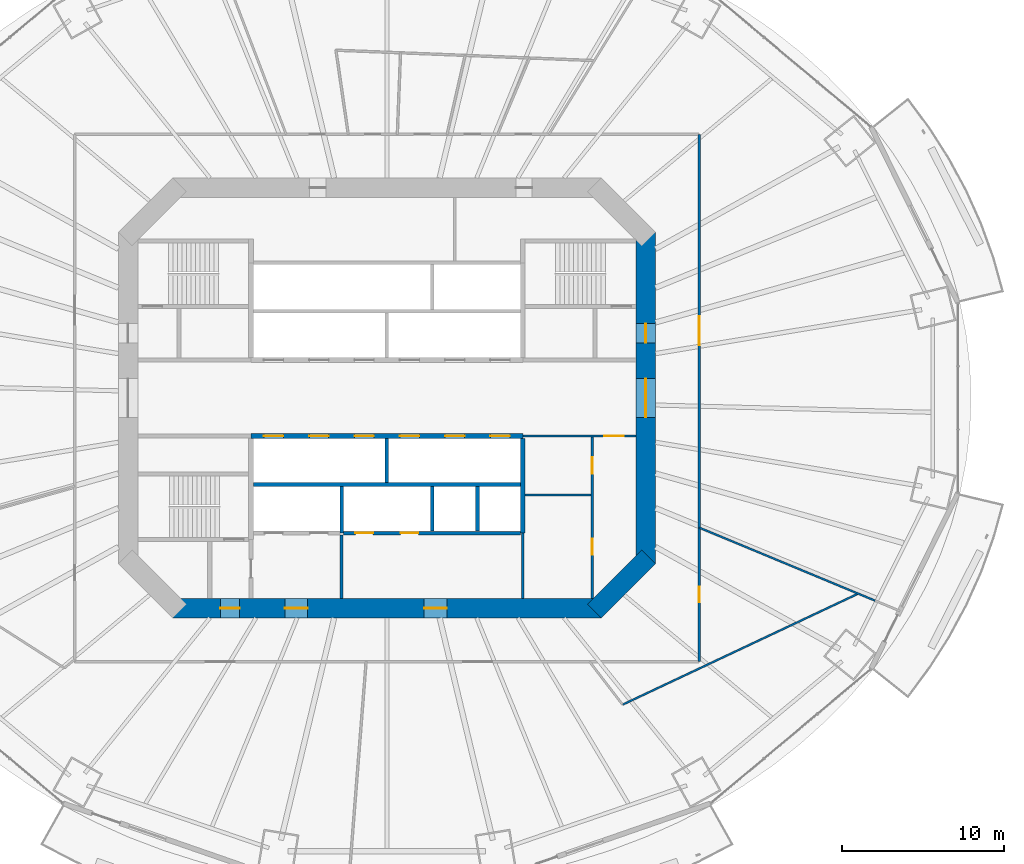
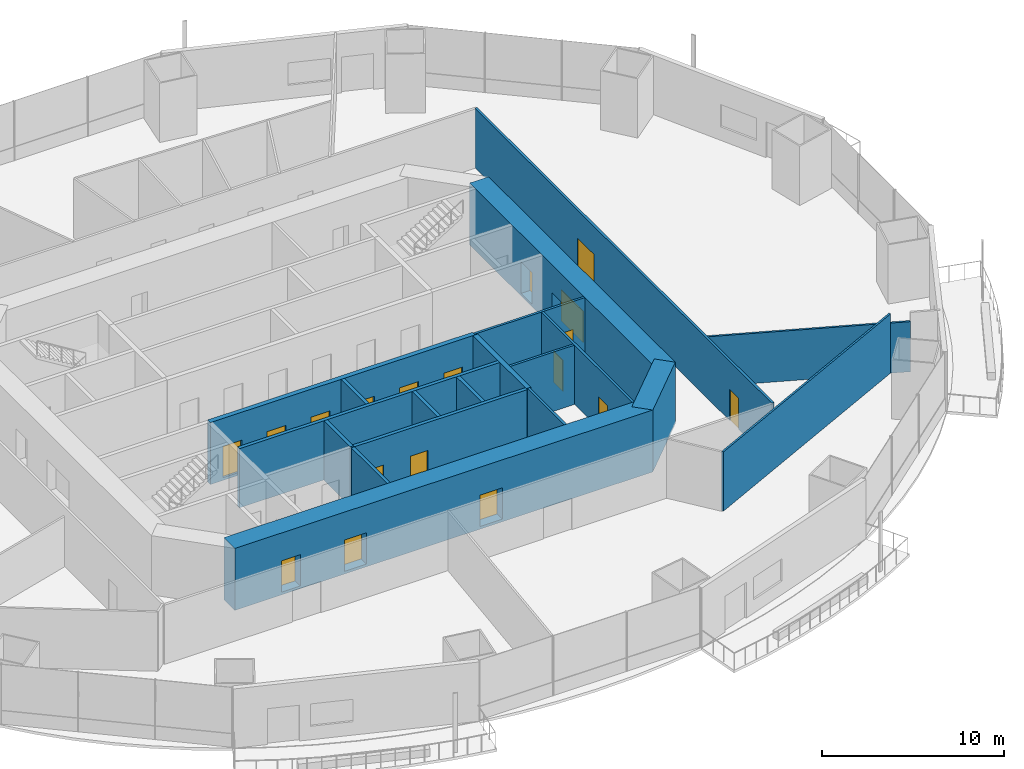
# One storey, part 15 of 23: 19 walls, 18 doors, 18 openings.
"""IFC4 building model written with IfcOpenShell, lengths in metres."""

from ifc_helpers import new_model, si_unit, direction, frame, frame_2d, origin, place, context, subcontext, project, spatial, rectangle, extrude, material, layer, layer_set, type_object, element, fill, save


model = new_model("IFC4")

# Units and contexts
model_context = context("Model", 3, precision=1e-05, world=origin(), true_north=direction((0.0, 1.0)))
body_context = subcontext(model_context, "Body", "Model", "MODEL_VIEW")
ifc_project = project(units=[si_unit("LENGTHUNIT", "METRE"), si_unit("AREAUNIT", "SQUARE_METRE"), si_unit("VOLUMEUNIT", "CUBIC_METRE"), si_unit("PLANEANGLEUNIT", "RADIAN"), si_unit("MASSUNIT", "GRAM", prefix="KILO")], contexts=[model_context])

# Site, building, storey
site_placement = place(None, origin())
site = spatial("IfcSite", under=ifc_project, at=site_placement, CompositionType="ELEMENT")
building_placement = place(site_placement, origin())
building = spatial("IfcBuilding", under=site, at=building_placement, Name="Marenthal Gate Tower", CompositionType="ELEMENT")
storey_placement = place(building_placement, frame((0.0, 0.0, 62.050048828125)))
storey = spatial("IfcBuildingStorey", under=building, at=storey_placement, Name="L11", CompositionType="ELEMENT", Elevation=62.050048828125)

# Wall
ifc_material_1 = material(Name="Concrete 60 MPa", Category="concrete")
ifc_layer_1 = layer(ifc_material_1, 1.199951171875)
ifc_layer_set_1 = layer_set([ifc_layer_1], Name="Core shear wall 1200")
wall_type_1 = type_object("IfcWallType", Name="Core shear wall 1200", PredefinedType="SHEAR", material=ifc_layer_set_1)
wall_1_placement = place(storey_placement, frame((12.82421875, -13.17578125, -0.179931640625), z_axis=(0.0, 0.0, 1.0), x_axis=(0.707106781187, 0.707106781187, 0.0)))
element("IfcWall", 1, at=wall_1_placement, inside=storey, type_object=wall_type_1, Name="Core wall 01", PredefinedType="SHEAR", context=body_context, shape_type="SweptSolid", body=[
    extrude(rectangle(XDim=4.73974609375, YDim=1.199951171875, at=frame_2d((2.369873046875, 0.0))), origin(), (0.0, 0.0, 1.0), 4.14990234375),
])

# Wall, openings, doors
wall_2_placement = place(storey_placement, frame((16.0, -10.24853515625, -0.179931640625), z_axis=(0.0, 0.0, 1.0), x_axis=(0.0, 1.0, 0.0)))
wall_2 = element("IfcWall", 2, at=wall_2_placement, inside=storey, type_object=wall_type_1, Name="Core wall 02", PredefinedType="SHEAR", context=body_context, shape_type="SweptSolid", body=[
    extrude(rectangle(XDim=20.4970703125, YDim=1.199951171875, at=frame_2d((10.24853515625, 0.0))), origin(), (0.0, 0.0, 1.0), 4.14990234375),
])
opening_1_placement = place(wall_2_placement, frame((9.048583984375, 0.0, 0.179931640625)))
opening_1 = element("IfcOpeningElement", 3, at=opening_1_placement, cuts=wall_2, Name="Opening D003.02", PredefinedType="OPENING", context=body_context, shape_type="SweptSolid", body=[
    extrude(rectangle(XDim=2.39990234375, YDim=2.10009765625, at=frame_2d((1.199951171875, 1.050048828125))), frame((0.0, 0.60986328125, 0.0), z_axis=(0.0, -1.0, 0.0), x_axis=(1.0, 0.0, 0.0)), (0.0, 0.0, 1.0), 1.219970703125),
])
opening_2_placement = place(wall_2_placement, frame((13.6484375, 0.0, 0.179931640625)))
opening_2 = element("IfcOpeningElement", 4, at=opening_2_placement, cuts=wall_2, Name="Opening D001.05", PredefinedType="OPENING", context=body_context, shape_type="SweptSolid", body=[
    extrude(rectangle(XDim=1.199951171875, YDim=2.10009765625, at=frame_2d((0.60009765625, 1.050048828125))), frame((0.0, 0.60986328125, 0.0), z_axis=(0.0, -1.0, 0.0), x_axis=(1.0, 0.0, 0.0)), (0.0, 0.0, 1.0), 1.219970703125),
])
ifc_material_2 = material(Name="Steel fire door", Category="steel")
door_type_1 = type_object("IfcDoorType", Name="Double fire door FD 45 2400 x 2100", OperationType="DOUBLE_DOOR_SINGLE_SWING", PredefinedType="DOOR", material=ifc_material_2)
door_1_placement = place(opening_1_placement, origin())
door_1 = element("IfcDoor", 5, at=door_1_placement, inside=storey, type_object=door_type_1, Name="Door D003.02", OperationType="DOUBLE_DOOR_SINGLE_SWING", OverallHeight=2.10009765625, OverallWidth=2.39990234375, PredefinedType="DOOR", context=body_context, shape_type="SweptSolid", body=[
    extrude(rectangle(XDim=2.39990234375, YDim=2.10009765625, at=frame_2d((1.199951171875, 1.050048828125))), frame((0.0, 0.02490234375, 0.0), z_axis=(0.0, -1.0, 0.0), x_axis=(1.0, 0.0, 0.0)), (0.0, 0.0, 1.0), 0.050048828125),
])
fill(opening_1, door_1)
ifc_material_3 = material(Name="Steel fire door", Category="steel")
door_type_2 = type_object("IfcDoorType", Name="Fire door FD 90 1200 x 2100", OperationType="NOTDEFINED", PredefinedType="DOOR", material=ifc_material_3)
door_2_placement = place(opening_2_placement, origin())
door_2 = element("IfcDoor", 6, at=door_2_placement, inside=storey, type_object=door_type_2, Name="Door D001.05", OperationType="SINGLE_SWING_RIGHT", OverallHeight=2.10009765625, OverallWidth=1.199951171875, PredefinedType="DOOR", context=body_context, shape_type="SweptSolid", body=[
    extrude(rectangle(XDim=1.199951171875, YDim=2.10009765625, at=frame_2d((0.60009765625, 1.050048828125))), frame((0.0, 0.02490234375, 0.0), z_axis=(0.0, -1.0, 0.0), x_axis=(1.0, 0.0, 0.0)), (0.0, 0.0, 1.0), 0.050048828125),
])
fill(opening_2, door_2)

wall_3_placement = place(storey_placement, frame((-13.24853515625, -13.0, -0.179931640625), z_axis=(0.0, 0.0, 1.0), x_axis=(1.0, 0.0, 0.0)))
wall_3 = element("IfcWall", 7, at=wall_3_placement, inside=storey, type_object=wall_type_1, Name="Core wall 08", PredefinedType="SHEAR", context=body_context, shape_type="SweptSolid", body=[
    extrude(rectangle(XDim=26.4970703125, YDim=1.199951171875, at=frame_2d((13.24853515625, 0.0))), origin(), (0.0, 0.0, 1.0), 4.14990234375),
])
opening_3_placement = place(wall_3_placement, frame((2.948486328125, 0.0, 0.179931640625)))
opening_3 = element("IfcOpeningElement", 8, at=opening_3_placement, cuts=wall_3, Name="Opening D001.06", PredefinedType="OPENING", context=body_context, shape_type="SweptSolid", body=[
    extrude(rectangle(XDim=1.199951171875, YDim=2.10009765625, at=frame_2d((0.60009765625, 1.050048828125))), frame((0.0, 0.60986328125, 0.0), z_axis=(0.0, -1.0, 0.0), x_axis=(1.0, 0.0, 0.0)), (0.0, 0.0, 1.0), 1.219970703125),
])
opening_4_placement = place(wall_3_placement, frame((6.948486328125, 0.0, 0.179931640625)))
opening_4 = element("IfcOpeningElement", 9, at=opening_4_placement, cuts=wall_3, Name="Opening D004.01", PredefinedType="OPENING", context=body_context, shape_type="SweptSolid", body=[
    extrude(rectangle(XDim=1.39990234375, YDim=2.10009765625, at=frame_2d((0.699951171875, 1.050048828125))), frame((0.0, 0.60986328125, 0.0), z_axis=(0.0, -1.0, 0.0), x_axis=(1.0, 0.0, 0.0)), (0.0, 0.0, 1.0), 1.219970703125),
])
opening_5_placement = place(wall_3_placement, frame((15.548583984375, 0.0, 0.179931640625)))
opening_5 = element("IfcOpeningElement", 10, at=opening_5_placement, cuts=wall_3, Name="Opening D004.02", PredefinedType="OPENING", context=body_context, shape_type="SweptSolid", body=[
    extrude(rectangle(XDim=1.39990234375, YDim=2.10009765625, at=frame_2d((0.699951171875, 1.050048828125))), frame((0.0, 0.60986328125, 0.0), z_axis=(0.0, -1.0, 0.0), x_axis=(1.0, 0.0, 0.0)), (0.0, 0.0, 1.0), 1.219970703125),
])
ifc_material_4 = material(Name="Steel fire door", Category="steel")
door_type_3 = type_object("IfcDoorType", Name="Fire door FD 45 1400 x 2100", OperationType="NOTDEFINED", PredefinedType="DOOR", material=ifc_material_4)
door_3_placement = place(opening_4_placement, origin())
door_3 = element("IfcDoor", 11, at=door_3_placement, inside=storey, type_object=door_type_3, Name="Door D004.01", OperationType="SINGLE_SWING_RIGHT", OverallHeight=2.10009765625, OverallWidth=1.39990234375, PredefinedType="DOOR", context=body_context, shape_type="SweptSolid", body=[
    extrude(rectangle(XDim=1.39990234375, YDim=2.10009765625, at=frame_2d((0.699951171875, 1.050048828125))), frame((0.0, 0.02490234375, 0.0), z_axis=(0.0, -1.0, 0.0), x_axis=(1.0, 0.0, 0.0)), (0.0, 0.0, 1.0), 0.050048828125),
])
fill(opening_4, door_3)
door_4_placement = place(opening_5_placement, origin())
door_4 = element("IfcDoor", 12, at=door_4_placement, inside=storey, type_object=door_type_3, Name="Door D004.02", OperationType="SINGLE_SWING_RIGHT", OverallHeight=2.10009765625, OverallWidth=1.39990234375, PredefinedType="DOOR", context=body_context, shape_type="SweptSolid", body=[
    extrude(rectangle(XDim=1.39990234375, YDim=2.10009765625, at=frame_2d((0.699951171875, 1.050048828125))), frame((0.0, 0.02490234375, 0.0), z_axis=(0.0, -1.0, 0.0), x_axis=(1.0, 0.0, 0.0)), (0.0, 0.0, 1.0), 0.050048828125),
])
fill(opening_5, door_4)
door_5_placement = place(opening_3_placement, origin())
door_5 = element("IfcDoor", 13, at=door_5_placement, inside=storey, type_object=door_type_2, Name="Door D001.06", OperationType="SINGLE_SWING_RIGHT", OverallHeight=2.10009765625, OverallWidth=1.199951171875, PredefinedType="DOOR", context=body_context, shape_type="SweptSolid", body=[
    extrude(rectangle(XDim=1.199951171875, YDim=2.10009765625, at=frame_2d((0.60009765625, 1.050048828125))), frame((0.0, 0.02490234375, 0.0), z_axis=(0.0, -1.0, 0.0), x_axis=(1.0, 0.0, 0.0)), (0.0, 0.0, 1.0), 0.050048828125),
])
fill(opening_3, door_5)

# Wall
ifc_material_5 = material(Name="Gypsum board on steel studs", Category="steel")
ifc_layer_2 = layer(ifc_material_5, 0.199951171875)
ifc_layer_set_2 = layer_set([ifc_layer_2], Name="Fire lobby wall 200")
wall_type_2 = type_object("IfcWallType", Name="Fire lobby wall 200", PredefinedType="PARTITIONING", material=ifc_layer_set_2)
wall_4_placement = place(storey_placement, frame((-2.800048828125, -12.39990234375, 0.0), z_axis=(0.0, 0.0, 1.0), x_axis=(0.0, 1.0, 0.0)))
element("IfcWall", 14, at=wall_4_placement, inside=storey, type_object=wall_type_2, Name="Fire wall 33", PredefinedType="PARTITIONING", context=body_context, shape_type="SweptSolid", body=[
    extrude(rectangle(XDim=3.93994140625, YDim=0.199951171875, at=frame_2d((1.969970703125, 0.0))), origin(), (0.0, 0.0, 1.0), 3.969970703125),
])

# Wall, openings, doors
ifc_material_6 = material(Name="Concrete 50 MPa", Category="concrete")
ifc_layer_3 = layer(ifc_material_6, 0.300048828125)
ifc_layer_set_3 = layer_set([ifc_layer_3], Name="Hoistway shear wall 300")
wall_type_3 = type_object("IfcWallType", Name="Hoistway shear wall 300", PredefinedType="SHEAR", material=ifc_layer_set_3)
wall_5_placement = place(storey_placement, frame((-8.39990234375, -2.35009765625, -0.179931640625), z_axis=(0.0, 0.0, 1.0), x_axis=(1.0, 0.0, 0.0)))
wall_5 = element("IfcWall", 15, at=wall_5_placement, inside=storey, type_object=wall_type_3, Name="Hoistway wall 16", PredefinedType="SHEAR", context=body_context, shape_type="SweptSolid", body=[
    extrude(rectangle(XDim=16.7998046875, YDim=0.300048828125, at=frame_2d((8.39990234375, 0.0))), origin(), (0.0, 0.0, 1.0), 4.14990234375),
])
opening_6_placement = place(wall_5_placement, frame((0.800048828125, 0.0, 0.179931640625)))
opening_6 = element("IfcOpeningElement", 16, at=opening_6_placement, cuts=wall_5, Name="Opening LD-LP7", PredefinedType="OPENING", context=body_context, shape_type="SweptSolid", body=[
    extrude(rectangle(XDim=1.199951171875, YDim=2.10009765625, at=frame_2d((0.60009765625, 1.050048828125))), frame((0.0, 0.16015625, 0.0), z_axis=(0.0, -1.0, 0.0), x_axis=(1.0, 0.0, 0.0)), (0.0, 0.0, 1.0), 0.320068359375),
])
opening_7_placement = place(wall_5_placement, frame((3.60009765625, 0.0, 0.179931640625)))
opening_7 = element("IfcOpeningElement", 17, at=opening_7_placement, cuts=wall_5, Name="Opening LD-LP8", PredefinedType="OPENING", context=body_context, shape_type="SweptSolid", body=[
    extrude(rectangle(XDim=1.199951171875, YDim=2.10009765625, at=frame_2d((0.60009765625, 1.050048828125))), frame((0.0, 0.16015625, 0.0), z_axis=(0.0, -1.0, 0.0), x_axis=(1.0, 0.0, 0.0)), (0.0, 0.0, 1.0), 0.320068359375),
])
opening_8_placement = place(wall_5_placement, frame((6.39990234375, 0.0, 0.179931640625)))
opening_8 = element("IfcOpeningElement", 18, at=opening_8_placement, cuts=wall_5, Name="Opening LD-LP9", PredefinedType="OPENING", context=body_context, shape_type="SweptSolid", body=[
    extrude(rectangle(XDim=1.199951171875, YDim=2.10009765625, at=frame_2d((0.60009765625, 1.050048828125))), frame((0.0, 0.16015625, 0.0), z_axis=(0.0, -1.0, 0.0), x_axis=(1.0, 0.0, 0.0)), (0.0, 0.0, 1.0), 0.320068359375),
])
opening_9_placement = place(wall_5_placement, frame((9.199951171875, 0.0, 0.179931640625)))
opening_9 = element("IfcOpeningElement", 19, at=opening_9_placement, cuts=wall_5, Name="Opening LD-LP10", PredefinedType="OPENING", context=body_context, shape_type="SweptSolid", body=[
    extrude(rectangle(XDim=1.199951171875, YDim=2.10009765625, at=frame_2d((0.60009765625, 1.050048828125))), frame((0.0, 0.16015625, 0.0), z_axis=(0.0, -1.0, 0.0), x_axis=(1.0, 0.0, 0.0)), (0.0, 0.0, 1.0), 0.320068359375),
])
opening_10_placement = place(wall_5_placement, frame((12.0, 0.0, 0.179931640625)))
opening_10 = element("IfcOpeningElement", 20, at=opening_10_placement, cuts=wall_5, Name="Opening LD-LP11", PredefinedType="OPENING", context=body_context, shape_type="SweptSolid", body=[
    extrude(rectangle(XDim=1.199951171875, YDim=2.10009765625, at=frame_2d((0.60009765625, 1.050048828125))), frame((0.0, 0.16015625, 0.0), z_axis=(0.0, -1.0, 0.0), x_axis=(1.0, 0.0, 0.0)), (0.0, 0.0, 1.0), 0.320068359375),
])
opening_11_placement = place(wall_5_placement, frame((14.800048828125, 0.0, 0.179931640625)))
opening_11 = element("IfcOpeningElement", 21, at=opening_11_placement, cuts=wall_5, Name="Opening LD-LP12", PredefinedType="OPENING", context=body_context, shape_type="SweptSolid", body=[
    extrude(rectangle(XDim=1.199951171875, YDim=2.10009765625, at=frame_2d((0.60009765625, 1.050048828125))), frame((0.0, 0.16015625, 0.0), z_axis=(0.0, -1.0, 0.0), x_axis=(1.0, 0.0, 0.0)), (0.0, 0.0, 1.0), 0.320068359375),
])
ifc_material_7 = material(Name="Stainless steel sliding door", Category="steel")
door_type_4 = type_object("IfcDoorType", Name="Lift landing door FD 90 1200 x 2100", OperationType="DOUBLE_DOOR_SLIDING", PredefinedType="DOOR", material=ifc_material_7)
door_6_placement = place(opening_6_placement, origin())
door_6 = element("IfcDoor", 22, at=door_6_placement, inside=storey, type_object=door_type_4, Name="Lift landing door LP7", OperationType="DOUBLE_DOOR_SLIDING", OverallHeight=2.10009765625, OverallWidth=1.199951171875, PredefinedType="DOOR", context=body_context, shape_type="SweptSolid", body=[
    extrude(rectangle(XDim=1.199951171875, YDim=2.10009765625, at=frame_2d((0.60009765625, 1.050048828125))), frame((0.0, 0.02490234375, 0.0), z_axis=(0.0, -1.0, 0.0), x_axis=(1.0, 0.0, 0.0)), (0.0, 0.0, 1.0), 0.050048828125),
])
fill(opening_6, door_6)
door_7_placement = place(opening_7_placement, origin())
door_7 = element("IfcDoor", 23, at=door_7_placement, inside=storey, type_object=door_type_4, Name="Lift landing door LP8", OperationType="DOUBLE_DOOR_SLIDING", OverallHeight=2.10009765625, OverallWidth=1.199951171875, PredefinedType="DOOR", context=body_context, shape_type="SweptSolid", body=[
    extrude(rectangle(XDim=1.199951171875, YDim=2.10009765625, at=frame_2d((0.60009765625, 1.050048828125))), frame((0.0, 0.02490234375, 0.0), z_axis=(0.0, -1.0, 0.0), x_axis=(1.0, 0.0, 0.0)), (0.0, 0.0, 1.0), 0.050048828125),
])
fill(opening_7, door_7)
door_8_placement = place(opening_8_placement, origin())
door_8 = element("IfcDoor", 24, at=door_8_placement, inside=storey, type_object=door_type_4, Name="Lift landing door LP9", OperationType="DOUBLE_DOOR_SLIDING", OverallHeight=2.10009765625, OverallWidth=1.199951171875, PredefinedType="DOOR", context=body_context, shape_type="SweptSolid", body=[
    extrude(rectangle(XDim=1.199951171875, YDim=2.10009765625, at=frame_2d((0.60009765625, 1.050048828125))), frame((0.0, 0.02490234375, 0.0), z_axis=(0.0, -1.0, 0.0), x_axis=(1.0, 0.0, 0.0)), (0.0, 0.0, 1.0), 0.050048828125),
])
fill(opening_8, door_8)
door_9_placement = place(opening_9_placement, origin())
door_9 = element("IfcDoor", 25, at=door_9_placement, inside=storey, type_object=door_type_4, Name="Lift landing door LP10", OperationType="DOUBLE_DOOR_SLIDING", OverallHeight=2.10009765625, OverallWidth=1.199951171875, PredefinedType="DOOR", context=body_context, shape_type="SweptSolid", body=[
    extrude(rectangle(XDim=1.199951171875, YDim=2.10009765625, at=frame_2d((0.60009765625, 1.050048828125))), frame((0.0, 0.02490234375, 0.0), z_axis=(0.0, -1.0, 0.0), x_axis=(1.0, 0.0, 0.0)), (0.0, 0.0, 1.0), 0.050048828125),
])
fill(opening_9, door_9)
door_10_placement = place(opening_10_placement, origin())
door_10 = element("IfcDoor", 26, at=door_10_placement, inside=storey, type_object=door_type_4, Name="Lift landing door LP11", OperationType="DOUBLE_DOOR_SLIDING", OverallHeight=2.10009765625, OverallWidth=1.199951171875, PredefinedType="DOOR", context=body_context, shape_type="SweptSolid", body=[
    extrude(rectangle(XDim=1.199951171875, YDim=2.10009765625, at=frame_2d((0.60009765625, 1.050048828125))), frame((0.0, 0.02490234375, 0.0), z_axis=(0.0, -1.0, 0.0), x_axis=(1.0, 0.0, 0.0)), (0.0, 0.0, 1.0), 0.050048828125),
])
fill(opening_10, door_10)
door_11_placement = place(opening_11_placement, origin())
door_11 = element("IfcDoor", 27, at=door_11_placement, inside=storey, type_object=door_type_4, Name="Lift landing door LP12", OperationType="DOUBLE_DOOR_SLIDING", OverallHeight=2.10009765625, OverallWidth=1.199951171875, PredefinedType="DOOR", context=body_context, shape_type="SweptSolid", body=[
    extrude(rectangle(XDim=1.199951171875, YDim=2.10009765625, at=frame_2d((0.60009765625, 1.050048828125))), frame((0.0, 0.02490234375, 0.0), z_axis=(0.0, -1.0, 0.0), x_axis=(1.0, 0.0, 0.0)), (0.0, 0.0, 1.0), 0.050048828125),
])
fill(opening_11, door_11)

# Wall
wall_6_placement = place(storey_placement, frame((8.39990234375, -8.35009765625, -0.179931640625), z_axis=(0.0, 0.0, 1.0), x_axis=(0.0, 1.0, 0.0)))
element("IfcWall", 28, at=wall_6_placement, inside=storey, type_object=wall_type_3, Name="Hoistway wall 42", PredefinedType="SHEAR", context=body_context, shape_type="SweptSolid", body=[
    extrude(rectangle(XDim=5.85009765625, YDim=0.300048828125, at=frame_2d((2.925048828125, 0.0))), origin(), (0.0, 0.0, 1.0), 4.14990234375),
])

# Wall, openings, doors
ifc_material_8 = material(Name="Concrete 40 MPa", Category="concrete")
ifc_layer_4 = layer(ifc_material_8, 0.219970703125)
ifc_layer_set_4 = layer_set([ifc_layer_4], Name="Hoistway wall 220")
wall_type_4 = type_object("IfcWallType", Name="Hoistway wall 220", PredefinedType="STANDARD", material=ifc_layer_set_4)
wall_7_placement = place(storey_placement, frame((-2.68994140625, -8.35009765625, 0.0), z_axis=(0.0, 0.0, 1.0), x_axis=(1.0, 0.0, 0.0)))
wall_7 = element("IfcWall", 29, at=wall_7_placement, inside=storey, type_object=wall_type_4, Name="Hoistway wall 11", PredefinedType="STANDARD", context=body_context, shape_type="SweptSolid", body=[
    extrude(rectangle(XDim=10.93994140625, YDim=0.219970703125, at=frame_2d((5.469970703125, 0.0))), origin(), (0.0, 0.0, 1.0), 3.969970703125),
])
opening_12_placement = place(wall_7_placement, frame((0.739990234375, 0.0, 0.0)))
opening_12 = element("IfcOpeningElement", 30, at=opening_12_placement, cuts=wall_7, Name="Opening LD-SV1", PredefinedType="OPENING", context=body_context, shape_type="SweptSolid", body=[
    extrude(rectangle(XDim=1.10009765625, YDim=2.10009765625, at=frame_2d((0.550048828125, 1.050048828125))), frame((0.0, 0.1201171875, 0.0), z_axis=(0.0, -1.0, 0.0), x_axis=(1.0, 0.0, 0.0)), (0.0, 0.0, 1.0), 0.239990234375),
])
opening_13_placement = place(wall_7_placement, frame((3.5400390625, 0.0, 0.0)))
opening_13 = element("IfcOpeningElement", 31, at=opening_13_placement, cuts=wall_7, Name="Opening LD-SV2", PredefinedType="OPENING", context=body_context, shape_type="SweptSolid", body=[
    extrude(rectangle(XDim=1.10009765625, YDim=2.10009765625, at=frame_2d((0.550048828125, 1.050048828125))), frame((0.0, 0.1201171875, 0.0), z_axis=(0.0, -1.0, 0.0), x_axis=(1.0, 0.0, 0.0)), (0.0, 0.0, 1.0), 0.239990234375),
])
ifc_material_9 = material(Name="Stainless steel sliding door", Category="steel")
door_type_5 = type_object("IfcDoorType", Name="Lift landing door FD 90 1100 x 2100", OperationType="DOUBLE_DOOR_SLIDING", PredefinedType="DOOR", material=ifc_material_9)
door_12_placement = place(opening_12_placement, origin())
door_12 = element("IfcDoor", 32, at=door_12_placement, inside=storey, type_object=door_type_5, Name="Lift landing door SV1", OperationType="DOUBLE_DOOR_SLIDING", OverallHeight=2.10009765625, OverallWidth=1.10009765625, PredefinedType="DOOR", context=body_context, shape_type="SweptSolid", body=[
    extrude(rectangle(XDim=1.10009765625, YDim=2.10009765625, at=frame_2d((0.550048828125, 1.050048828125))), frame((0.0, 0.02490234375, 0.0), z_axis=(0.0, -1.0, 0.0), x_axis=(1.0, 0.0, 0.0)), (0.0, 0.0, 1.0), 0.050048828125),
])
fill(opening_12, door_12)
door_13_placement = place(opening_13_placement, origin())
door_13 = element("IfcDoor", 33, at=door_13_placement, inside=storey, type_object=door_type_5, Name="Lift landing door SV2", OperationType="DOUBLE_DOOR_SLIDING", OverallHeight=2.10009765625, OverallWidth=1.10009765625, PredefinedType="DOOR", context=body_context, shape_type="SweptSolid", body=[
    extrude(rectangle(XDim=1.10009765625, YDim=2.10009765625, at=frame_2d((0.550048828125, 1.050048828125))), frame((0.0, 0.02490234375, 0.0), z_axis=(0.0, -1.0, 0.0), x_axis=(1.0, 0.0, 0.0)), (0.0, 0.0, 1.0), 0.050048828125),
])
fill(opening_13, door_13)

# Walls
wall_8_placement = place(storey_placement, frame((-8.25, -5.35009765625, 0.0), z_axis=(0.0, 0.0, 1.0), x_axis=(1.0, 0.0, 0.0)))
element("IfcWall", 34, at=wall_8_placement, inside=storey, type_object=wall_type_4, Name="Hoistway wall 13", PredefinedType="STANDARD", context=body_context, shape_type="SweptSolid", body=[
    extrude(rectangle(XDim=16.5, YDim=0.219970703125, at=frame_2d((8.25, 0.0))), origin(), (0.0, 0.0, 1.0), 3.969970703125),
])
wall_9_placement = place(storey_placement, frame((-2.800048828125, -8.35009765625, 0.0), z_axis=(0.0, 0.0, 1.0), x_axis=(0.0, 1.0, 0.0)))
element("IfcWall", 35, at=wall_9_placement, inside=storey, type_object=wall_type_4, Name="Hoistway wall 34", PredefinedType="STANDARD", context=body_context, shape_type="SweptSolid", body=[
    extrude(rectangle(XDim=2.89013671875, YDim=0.219970703125, at=frame_2d((1.445068359375, 0.0))), origin(), (0.0, 0.0, 1.0), 3.969970703125),
])
wall_10_placement = place(storey_placement, frame((0.0, -5.239990234375, 0.0), z_axis=(0.0, 0.0, 1.0), x_axis=(0.0, 1.0, 0.0)))
element("IfcWall", 36, at=wall_10_placement, inside=storey, type_object=wall_type_4, Name="Hoistway wall 35", PredefinedType="STANDARD", context=body_context, shape_type="SweptSolid", body=[
    extrude(rectangle(XDim=2.739990234375, YDim=0.219970703125, at=frame_2d((1.3701171875, 0.0))), origin(), (0.0, 0.0, 1.0), 3.969970703125),
])
for number, where, z_axis, x_axis, name in (
    (37, (2.800048828125, -8.239990234375, 0.0), (0.0, 0.0, 1.0), (0.0, 1.0, 0.0), "Hoistway wall 37"),
    (38, (5.60009765625, -8.239990234375, 0.0), (0.0, 0.0, 1.0), (0.0, 1.0, 0.0), "Hoistway wall 40"),
):
    element("IfcWall", number, at=place(storey_placement, frame(where, z_axis=z_axis, x_axis=x_axis)), inside=storey, type_object=wall_type_4, Name=name, PredefinedType="STANDARD", context=body_context, shape_type="SweptSolid", body=[
        extrude(rectangle(XDim=2.780029296875, YDim=0.219970703125, at=frame_2d((1.39013671875, 0.0))), origin(), (0.0, 0.0, 1.0), 3.969970703125),
    ])
ifc_material_10 = material(Name="Gypsum board on steel studs", Category="steel")
ifc_layer_5 = layer(ifc_material_10, 0.1201171875)
ifc_layer_set_5 = layer_set([ifc_layer_5], Name="Partition 120")
wall_type_5 = type_object("IfcWallType", Name="Partition 120", PredefinedType="PARTITIONING", material=ifc_layer_set_5)
wall_11_placement = place(storey_placement, frame((14.567626953125, -18.95947265625, 0.0), z_axis=(0.0, 0.0, 1.0), x_axis=(0.904611019934, 0.426238082078, 0.0)))
element("IfcWall", 39, at=wall_11_placement, inside=storey, type_object=wall_type_5, Name="Partition wall 60", PredefinedType="PARTITIONING", context=body_context, shape_type="SweptSolid", body=[
    extrude(rectangle(XDim=16.099609375, YDim=0.1201171875, at=frame_2d((8.0498046875, 0.0))), origin(), (0.0, 0.0, 1.0), 3.969970703125),
])
wall_12_placement = place(storey_placement, frame((19.300048828125, -8.014404296875, 0.0), z_axis=(0.0, 0.0, 1.0), x_axis=(0.923538744344, -0.383505133859, 0.0)))
element("IfcWall", 40, at=wall_12_placement, inside=storey, type_object=wall_type_5, Name="Partition wall 63", PredefinedType="PARTITIONING", context=body_context, shape_type="SweptSolid", body=[
    extrude(rectangle(XDim=11.77587890625, YDim=0.1201171875, at=frame_2d((5.887939453125, 0.0))), origin(), (0.0, 0.0, 1.0), 3.35791015625),
])
ifc_material_11 = material(Name="Gypsum board on steel studs", Category="steel")
ifc_layer_6 = layer(ifc_material_11, 0.14990234375)
ifc_layer_set_6 = layer_set([ifc_layer_6], Name="Partition 150")
wall_type_6 = type_object("IfcWallType", Name="Partition 150", PredefinedType="PARTITIONING", material=ifc_layer_set_6)
wall_13_placement = place(storey_placement, frame((8.550048828125, -6.0, 0.0), z_axis=(0.0, 0.0, 1.0), x_axis=(1.0, 0.0, 0.0)))
element("IfcWall", 41, at=wall_13_placement, inside=storey, type_object=wall_type_6, Name="Partition wall 12", PredefinedType="PARTITIONING", context=body_context, shape_type="SweptSolid", body=[
    extrude(rectangle(XDim=4.074951171875, YDim=0.14990234375, at=frame_2d((2.03759765625, 0.0))), origin(), (0.0, 0.0, 1.0), 3.969970703125),
])

# Wall, opening, door
wall_14_placement = place(storey_placement, frame((8.39990234375, -2.35009765625, 0.0), z_axis=(0.0, 0.0, 1.0), x_axis=(1.0, 0.0, 0.0)))
wall_14 = element("IfcWall", 42, at=wall_14_placement, inside=storey, type_object=wall_type_6, Name="Partition wall 17", PredefinedType="PARTITIONING", context=body_context, shape_type="SweptSolid", body=[
    extrude(rectangle(XDim=7.0, YDim=0.14990234375, at=frame_2d((3.5, 0.0))), origin(), (0.0, 0.0, 1.0), 3.969970703125),
])
opening_14_placement = place(wall_14_placement, frame((5.050048828125, 0.0, 0.0)))
opening_14 = element("IfcOpeningElement", 43, at=opening_14_placement, cuts=wall_14, Name="Opening D006.01", PredefinedType="OPENING", context=body_context, shape_type="SweptSolid", body=[
    extrude(rectangle(XDim=1.199951171875, YDim=2.10009765625, at=frame_2d((0.60009765625, 1.050048828125))), frame((0.0, 0.0849609375, 0.0), z_axis=(0.0, -1.0, 0.0), x_axis=(1.0, 0.0, 0.0)), (0.0, 0.0, 1.0), 0.169921875),
])
ifc_material_12 = material(Name="Steel fire door", Category="steel")
door_type_6 = type_object("IfcDoorType", Name="Fire door FD 45 1200 x 2100", OperationType="NOTDEFINED", PredefinedType="DOOR", material=ifc_material_12)
door_14_placement = place(opening_14_placement, frame((1.199951171875, 0.0, 0.0), z_axis=(0.0, 0.0, 1.0), x_axis=(-1.0, 0.0, 0.0)))
door_14 = element("IfcDoor", 44, at=door_14_placement, inside=storey, type_object=door_type_6, Name="Door D006.01", OperationType="SINGLE_SWING_LEFT", OverallHeight=2.10009765625, OverallWidth=1.199951171875, PredefinedType="DOOR", context=body_context, shape_type="SweptSolid", body=[
    extrude(rectangle(XDim=1.199951171875, YDim=2.10009765625, at=frame_2d((0.60009765625, 1.050048828125))), frame((0.0, 0.02490234375, 0.0), z_axis=(0.0, -1.0, 0.0), x_axis=(1.0, 0.0, 0.0)), (0.0, 0.0, 1.0), 0.050048828125),
])
fill(opening_14, door_14)

# Wall
wall_15_placement = place(storey_placement, frame((8.39990234375, -12.39990234375, 0.0), z_axis=(0.0, 0.0, 1.0), x_axis=(0.0, 1.0, 0.0)))
element("IfcWall", 45, at=wall_15_placement, inside=storey, type_object=wall_type_6, Name="Partition wall 41", PredefinedType="PARTITIONING", context=body_context, shape_type="SweptSolid", body=[
    extrude(rectangle(XDim=4.0498046875, YDim=0.14990234375, at=frame_2d((2.02490234375, 0.0))), origin(), (0.0, 0.0, 1.0), 3.969970703125),
])

# Wall, openings, doors
wall_16_placement = place(storey_placement, frame((12.699951171875, -12.39990234375, 0.0), z_axis=(0.0, 0.0, 1.0), x_axis=(0.0, 1.0, 0.0)))
wall_16 = element("IfcWall", 46, at=wall_16_placement, inside=storey, type_object=wall_type_6, Name="Partition wall 45", PredefinedType="PARTITIONING", context=body_context, shape_type="SweptSolid", body=[
    extrude(rectangle(XDim=9.974853515625, YDim=0.14990234375, at=frame_2d((4.9873046875, 0.0))), origin(), (0.0, 0.0, 1.0), 3.969970703125),
])
opening_15_placement = place(wall_16_placement, frame((7.72509765625, 0.0, 0.0)))
opening_15 = element("IfcOpeningElement", 47, at=opening_15_placement, cuts=wall_16, Name="Opening D005.03", PredefinedType="OPENING", context=body_context, shape_type="SweptSolid", body=[
    extrude(rectangle(XDim=1.0, YDim=2.10009765625, at=frame_2d((0.5, 1.050048828125))), frame((0.0, 0.0849609375, 0.0), z_axis=(0.0, -1.0, 0.0), x_axis=(1.0, 0.0, 0.0)), (0.0, 0.0, 1.0), 0.169921875),
])
opening_16_placement = place(wall_16_placement, frame((2.699951171875, 0.0, 0.0)))
opening_16 = element("IfcOpeningElement", 48, at=opening_16_placement, cuts=wall_16, Name="Opening D005.04", PredefinedType="OPENING", context=body_context, shape_type="SweptSolid", body=[
    extrude(rectangle(XDim=1.0, YDim=2.10009765625, at=frame_2d((0.5, 1.050048828125))), frame((0.0, 0.0849609375, 0.0), z_axis=(0.0, -1.0, 0.0), x_axis=(1.0, 0.0, 0.0)), (0.0, 0.0, 1.0), 0.169921875),
])
ifc_material_13 = material(Name="Steel fire door", Category="steel")
door_type_7 = type_object("IfcDoorType", Name="Fire door FD 45 1000 x 2100", OperationType="NOTDEFINED", PredefinedType="DOOR", material=ifc_material_13)
door_15_placement = place(opening_15_placement, origin())
door_15 = element("IfcDoor", 49, at=door_15_placement, inside=storey, type_object=door_type_7, Name="Door D005.03", OperationType="SINGLE_SWING_RIGHT", OverallHeight=2.10009765625, OverallWidth=1.0, PredefinedType="DOOR", context=body_context, shape_type="SweptSolid", body=[
    extrude(rectangle(XDim=1.0, YDim=2.10009765625, at=frame_2d((0.5, 1.050048828125))), frame((0.0, 0.02490234375, 0.0), z_axis=(0.0, -1.0, 0.0), x_axis=(1.0, 0.0, 0.0)), (0.0, 0.0, 1.0), 0.050048828125),
])
fill(opening_15, door_15)
door_16_placement = place(opening_16_placement, origin())
door_16 = element("IfcDoor", 50, at=door_16_placement, inside=storey, type_object=door_type_7, Name="Door D005.04", OperationType="SINGLE_SWING_RIGHT", OverallHeight=2.10009765625, OverallWidth=1.0, PredefinedType="DOOR", context=body_context, shape_type="SweptSolid", body=[
    extrude(rectangle(XDim=1.0, YDim=2.10009765625, at=frame_2d((0.5, 1.050048828125))), frame((0.0, 0.02490234375, 0.0), z_axis=(0.0, -1.0, 0.0), x_axis=(1.0, 0.0, 0.0)), (0.0, 0.0, 1.0), 0.050048828125),
])
fill(opening_16, door_16)

wall_17_placement = place(storey_placement, frame((19.300048828125, 16.300048828125, 0.0), z_axis=(0.0, 0.0, 1.0), x_axis=(0.0, -1.0, 0.0)))
wall_17 = element("IfcWall", 51, at=wall_17_placement, inside=storey, type_object=wall_type_6, Name="Partition wall 64", PredefinedType="PARTITIONING", context=body_context, shape_type="SweptSolid", body=[
    extrude(rectangle(XDim=32.60009765625, YDim=0.14990234375, at=frame_2d((16.300048828125, 0.0))), origin(), (0.0, 0.0, 1.0), 3.969970703125),
])
opening_17_placement = place(wall_17_placement, frame((27.98193359375, 0.0, 0.0)))
opening_17 = element("IfcOpeningElement", 52, at=opening_17_placement, cuts=wall_17, Name="Opening D016.07", PredefinedType="OPENING", context=body_context, shape_type="SweptSolid", body=[
    extrude(rectangle(XDim=0.949951171875, YDim=2.10009765625, at=frame_2d((0.47509765625, 1.050048828125))), frame((0.0, 0.0849609375, 0.0), z_axis=(0.0, -1.0, 0.0), x_axis=(1.0, 0.0, 0.0)), (0.0, 0.0, 1.0), 0.169921875),
])
opening_18_placement = place(wall_17_placement, frame((11.257080078125, 0.0, 0.0)))
opening_18 = element("IfcOpeningElement", 53, at=opening_18_placement, cuts=wall_17, Name="Opening D014.04", PredefinedType="OPENING", context=body_context, shape_type="SweptSolid", body=[
    extrude(rectangle(XDim=1.800048828125, YDim=2.10009765625, at=frame_2d((0.89990234375, 1.050048828125))), frame((0.0, 0.0849609375, 0.0), z_axis=(0.0, -1.0, 0.0), x_axis=(1.0, 0.0, 0.0)), (0.0, 0.0, 1.0), 0.169921875),
])
ifc_material_14 = material(Name="Timber door", Category="wood")
door_type_8 = type_object("IfcDoorType", Name="Door 950 x 2100", OperationType="NOTDEFINED", PredefinedType="DOOR", material=ifc_material_14)
door_17_placement = place(opening_17_placement, origin())
door_17 = element("IfcDoor", 54, at=door_17_placement, inside=storey, type_object=door_type_8, Name="Door D016.07", OperationType="SINGLE_SWING_RIGHT", OverallHeight=2.10009765625, OverallWidth=0.949951171875, PredefinedType="DOOR", context=body_context, shape_type="SweptSolid", body=[
    extrude(rectangle(XDim=0.949951171875, YDim=2.10009765625, at=frame_2d((0.47509765625, 1.050048828125))), frame((0.0, 0.02490234375, 0.0), z_axis=(0.0, -1.0, 0.0), x_axis=(1.0, 0.0, 0.0)), (0.0, 0.0, 1.0), 0.050048828125),
])
fill(opening_17, door_17)
ifc_material_15 = material(Name="Timber door", Category="wood")
door_type_9 = type_object("IfcDoorType", Name="Double door 1800 x 2100", OperationType="DOUBLE_DOOR_SINGLE_SWING", PredefinedType="DOOR", material=ifc_material_15)
door_18_placement = place(opening_18_placement, origin())
door_18 = element("IfcDoor", 55, at=door_18_placement, inside=storey, type_object=door_type_9, Name="Door D014.04", OperationType="DOUBLE_DOOR_SINGLE_SWING", OverallHeight=2.10009765625, OverallWidth=1.800048828125, PredefinedType="DOOR", context=body_context, shape_type="SweptSolid", body=[
    extrude(rectangle(XDim=1.800048828125, YDim=2.10009765625, at=frame_2d((0.89990234375, 1.050048828125))), frame((0.0, 0.02490234375, 0.0), z_axis=(0.0, -1.0, 0.0), x_axis=(1.0, 0.0, 0.0)), (0.0, 0.0, 1.0), 0.050048828125),
])
fill(opening_18, door_18)

save(model, "model.ifc")
